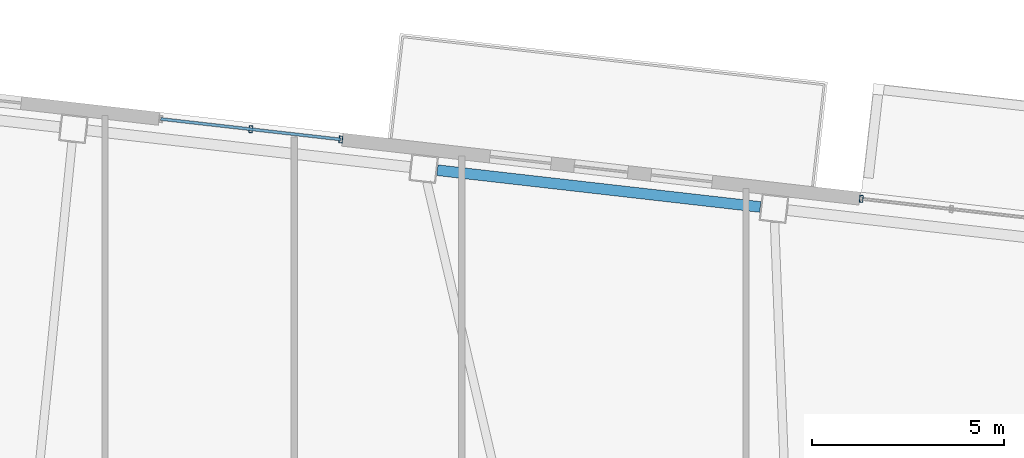
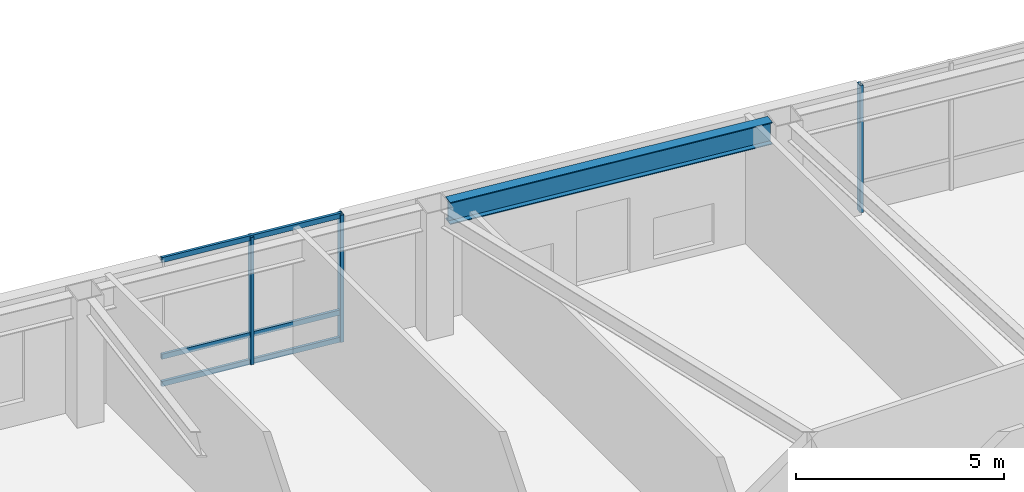
# One storey, part 8 of 21: 6 members, 1 beam, 2 elements without a shape of their own.
"""IFC4 building model written with IfcOpenShell, lengths in metres."""

from ifc_helpers import new_model, si_unit, direction, frame, origin, origin_2d, place, context, subcontext, project, spatial, hollow_rectangle, i_section, extrude, material, layer, layer_set, material_profile, profile_set, type_object, element, aggregate, save


model = new_model("IFC4")

# Units and contexts
model_context = context("Model", 3, precision=1e-05, world=origin(), true_north=direction((0.0, 1.0)))
body_context = subcontext(model_context, "Body", "Model", "MODEL_VIEW")
ifc_project = project(units=[si_unit("LENGTHUNIT", "METRE"), si_unit("AREAUNIT", "SQUARE_METRE"), si_unit("VOLUMEUNIT", "CUBIC_METRE"), si_unit("PLANEANGLEUNIT", "RADIAN"), si_unit("MASSUNIT", "GRAM", prefix="KILO")], contexts=[model_context])

# Site, building, storey
site_placement = place(None, origin())
site = spatial("IfcSite", under=ifc_project, at=site_placement, CompositionType="ELEMENT")
building_placement = place(site_placement, origin())
building = spatial("IfcBuilding", under=site, at=building_placement, Name="Tavrogorsk Clinical Tower", CompositionType="ELEMENT")
storey_placement = place(building_placement, frame((0.0, 0.0, 125.39990234375)))
storey = spatial("IfcBuildingStorey", under=building, at=storey_placement, Name="L28", CompositionType="ELEMENT", Elevation=125.39990234375)

# Curtain wall, members
ifc_material_1 = material(Name="Anodised aluminium and triple IGU glazing", Category="aluminium")
ifc_layer = layer(ifc_material_1, 0.179931640625)
ifc_layer_set = layer_set([ifc_layer], Name="Anodised aluminium and triple IGU glazing")
curtain_wall_type = type_object("IfcCurtainWallType", Name="CW2_NorthSlot", PredefinedType="NOTDEFINED", material=ifc_layer_set)
curtain_wall_1_placement = place(storey_placement, origin())
curtain_wall_1 = element("IfcCurtainWall", 1, at=curtain_wall_1_placement, inside=storey, type_object=curtain_wall_type, Name="L28 Curtain Wall CW-L28-N-SLOT-1", PredefinedType="NOTDEFINED")
ifc_material_2 = material(Name="Anodised aluminium alloy AW-6060", Category="aluminium")
ifc_material_profile_1 = material_profile(ifc_material_2, hollow_rectangle(XDim=0.090087890625, YDim=0.179931640625, WallThickness=0.00634765625, at=origin_2d()), Name="RHS-180x90x6.3")
ifc_profile_set_1 = profile_set([ifc_material_profile_1], Name="Anodised aluminium alloy AW-6060")
member_type_1 = type_object("IfcMemberType", Name="CwMullion_180x90", PredefinedType="MULLION", material=ifc_profile_set_1)
member_1_placement = place(storey_placement, frame((-1.586181640625, 23.443603515625, 0.0), z_axis=(0.0, 0.0, 1.0), x_axis=(-0.993571858269, 0.113203191016, 0.0)))
member_1 = element("IfcMember", 2, at=member_1_placement, type_object=member_type_1, Name="CW-L28-N-SLOT-1 Mullion 1", PredefinedType="MULLION", context=body_context, shape_type="SweptSolid", body=[
    extrude(hollow_rectangle(XDim=0.090087890625, YDim=0.179931640625, WallThickness=0.00634765625, at=origin_2d()), origin(), (0.0, 0.0, 1.0), 3.739990234375),
])
member_2_placement = place(storey_placement, frame((-3.929931640625, 23.71044921875, 0.0), z_axis=(0.0, 0.0, 1.0), x_axis=(-0.993571858269, 0.113203191016, 0.0)))
member_2 = element("IfcMember", 3, at=member_2_placement, type_object=member_type_1, Name="CW-L28-N-SLOT-1 Mullion 2", PredefinedType="MULLION", context=body_context, shape_type="SweptSolid", body=[
    extrude(hollow_rectangle(XDim=0.090087890625, YDim=0.179931640625, WallThickness=0.00634765625, at=origin_2d()), origin(), (0.0, 0.0, 1.0), 3.739990234375),
])

# Curtain wall, member
curtain_wall_2_placement = place(storey_placement, origin())
curtain_wall_2 = element("IfcCurtainWall", 4, at=curtain_wall_2_placement, inside=storey, type_object=curtain_wall_type, Name="L28 Curtain Wall CW-L28-N-SLOT-2", PredefinedType="NOTDEFINED")
member_3_placement = place(storey_placement, frame((11.962646484375, 21.89990234375, 0.0), z_axis=(0.0, 0.0, 1.0), x_axis=(-0.993571855603, 0.11320321441, 0.0)))
member_3 = element("IfcMember", 5, at=member_3_placement, type_object=member_type_1, Name="CW-L28-N-SLOT-2 Mullion 3", PredefinedType="MULLION", context=body_context, shape_type="SweptSolid", body=[
    extrude(hollow_rectangle(XDim=0.090087890625, YDim=0.179931640625, WallThickness=0.00634765625, at=origin_2d()), origin(), (0.0, 0.0, 1.0), 3.739990234375),
])
aggregate(curtain_wall_2, [member_3])

# Member
ifc_material_3 = material(Name="Anodised aluminium alloy AW-6060", Category="aluminium")
ifc_material_profile_2 = material_profile(ifc_material_3, hollow_rectangle(XDim=0.074951171875, YDim=0.14990234375, WallThickness=0.0048828125, at=origin_2d()), Name="RHS-150x75x5")
ifc_profile_set_2 = profile_set([ifc_material_profile_2], Name="Anodised aluminium alloy AW-6060")
member_type_2 = type_object("IfcMemberType", Name="CwTransom_150x75", PredefinedType="USERDEFINED", material=ifc_profile_set_2)
member_4_placement = place(storey_placement, frame((-1.586181640625, 23.443603515625, 0.050048828125), z_axis=(-0.993575136134, 0.11317441785, 0.0), x_axis=(-0.11317441785, -0.993575136134, 0.0)))
member_4 = element("IfcMember", 6, at=member_4_placement, type_object=member_type_2, Name="CW-L28-N-SLOT-1 Transom 1", ObjectType="TRANSOM", PredefinedType="USERDEFINED", context=body_context, shape_type="SweptSolid", body=[
    extrude(hollow_rectangle(XDim=0.074951171875, YDim=0.14990234375, WallThickness=0.0048828125, at=origin_2d()), origin(), (0.0, 0.0, 1.0), 4.7177734375),
])

member_5_placement = place(storey_placement, frame((-1.586181640625, 23.443603515625, 0.85009765625), z_axis=(-0.993575136134, 0.11317441785, 0.0), x_axis=(-0.11317441785, -0.993575136134, 0.0)))
member_5 = element("IfcMember", 7, at=member_5_placement, type_object=member_type_2, Name="CW-L28-N-SLOT-1 Transom 2", ObjectType="TRANSOM", PredefinedType="USERDEFINED", context=body_context, shape_type="SweptSolid", body=[
    extrude(hollow_rectangle(XDim=0.074951171875, YDim=0.14990234375, WallThickness=0.0048828125, at=origin_2d()), origin(), (0.0, 0.0, 1.0), 4.7177734375),
])

member_6_placement = place(storey_placement, frame((-1.586181640625, 23.443603515625, 3.690185546875), z_axis=(-0.993575136134, 0.11317441785, 0.0), x_axis=(-0.11317441785, -0.993575136134, 0.0)))
member_6 = element("IfcMember", 8, at=member_6_placement, type_object=member_type_2, Name="CW-L28-N-SLOT-1 Transom 3", ObjectType="TRANSOM", PredefinedType="USERDEFINED", context=body_context, shape_type="SweptSolid", body=[
    extrude(hollow_rectangle(XDim=0.074951171875, YDim=0.14990234375, WallThickness=0.0048828125, at=origin_2d()), origin(), (0.0, 0.0, 1.0), 4.7177734375),
])

aggregate(curtain_wall_1, [member_1, member_2, member_4, member_5, member_6])

# Beam
ifc_material_4 = material(Name="Structural steel S390", Category="steel")
ifc_material_profile_3 = material_profile(ifc_material_4, i_section(OverallWidth=0.280029296875, OverallDepth=0.64990234375, WebThickness=0.01611328125, FlangeThickness=0.02490234375, at=origin_2d()), Name="B-650x280x16x25")
ifc_profile_set_3 = profile_set([ifc_material_profile_3], Name="Structural steel S390")
beam_type = type_object("IfcBeamType", Name="SpandrelBeam_B650", PredefinedType="SPANDREL", material=ifc_profile_set_3)
beam_placement = place(storey_placement, frame((9.333984375, 21.68603515625, 3.4150390625), z_axis=(-0.99357306506, 0.113192598642, 0.0), x_axis=(-0.113192598642, -0.99357306506, 0.0)))
element("IfcBeam", 9, at=beam_placement, inside=storey, type_object=beam_type, Name="L28 Perimeter Spandrel N4-N5", PredefinedType="SPANDREL", context=body_context, shape_type="SweptSolid", body=[
    extrude(i_section(OverallWidth=0.280029296875, OverallDepth=0.64990234375, WebThickness=0.01611328125, FlangeThickness=0.02490234375, at=origin_2d()), origin(), (0.0, 0.0, 1.0), 8.46142578125),
])

save(model, "model.ifc")
